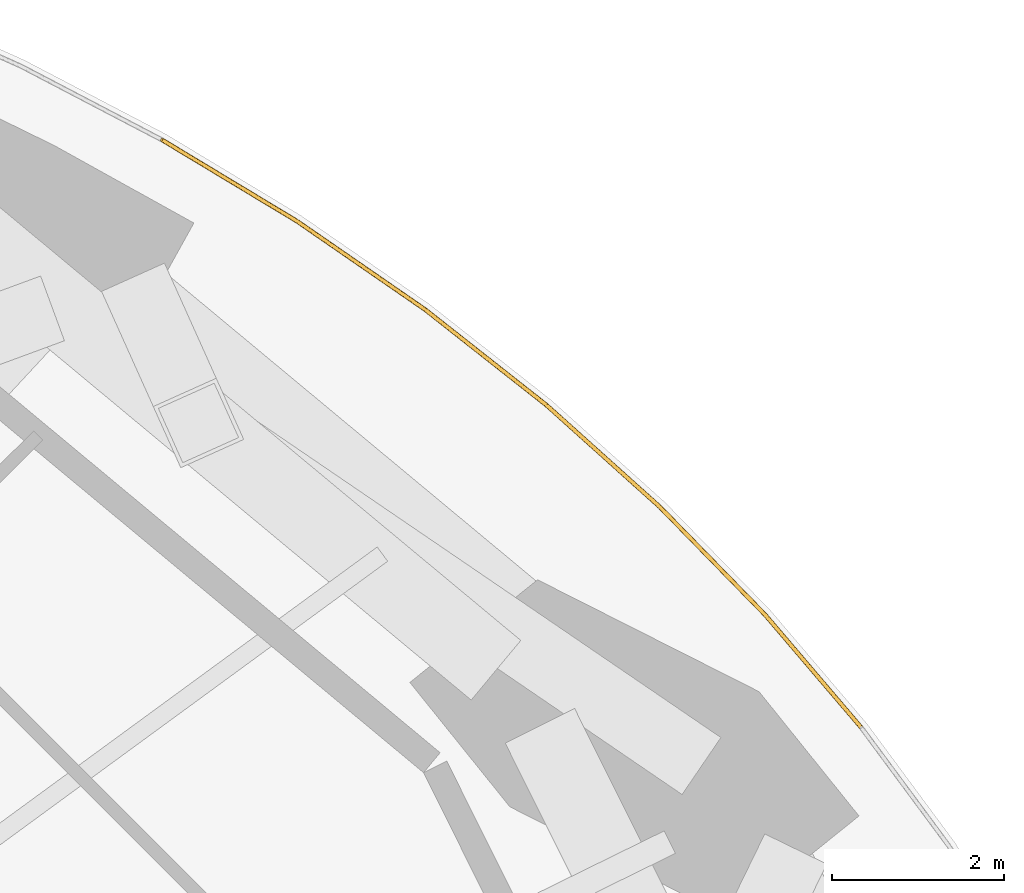
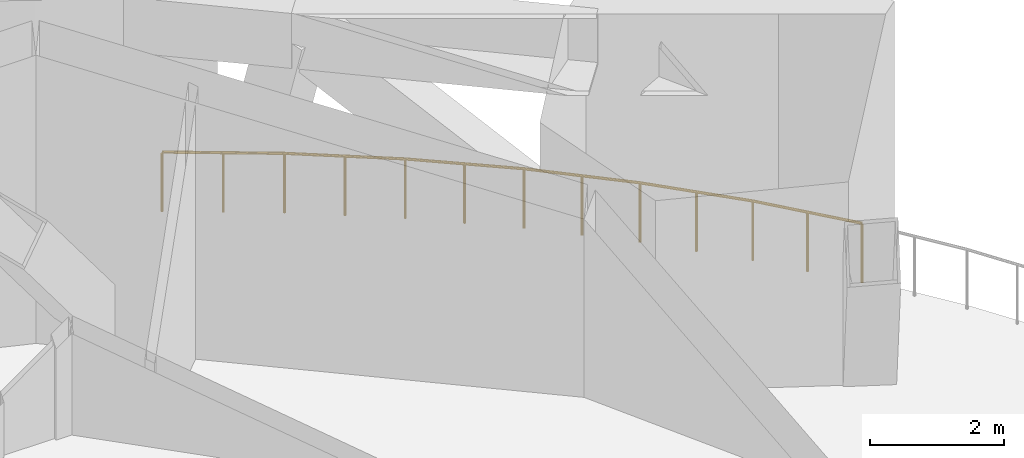
# One storey, part 10 of 11: 1 railing.
"""IFC4 building model written with IfcOpenShell, lengths in metres."""

import ifcopenshell
import ifcopenshell.guid

model = None  # the IFC model being written
_history = None  # IfcOwnerHistory: only IFC2X3 demands one
_inside = {}  # id of a spatial element -> (the spatial element, [elements in it])
_under = {}  # id of a project, library or spatial element -> (it, [spatial elements below it])
_declared = {}  # id of a project -> (the project, [libraries it declares])
_typed = {}  # id of a type object -> (the type object, [elements of that type])
_made_of = {}  # id of a material, layer set ... -> (it, [elements and type objects made of it])


def new_model(schema):
    """Start an empty IFC model of exactly this schema.

    Asked for "IFC4X3", IfcOpenShell would pick the latest addendum, in which some entities
    have other attributes; the version numbers below select the first issue.
    IFC2X3 requires an IfcOwnerHistory on every rooted entity: one is made here for all.
    """
    global model, _history
    if schema == "IFC4X3":
        model = ifcopenshell.file(schema_version=(4, 3, 0, 0))
    else:
        model = ifcopenshell.file(schema=schema)
    _inside.clear()
    _under.clear()
    _declared.clear()
    _typed.clear()
    _made_of.clear()
    _history = None
    if model.schema == "IFC2X3":
        org = make("IfcOrganization", Name="unknown")
        user = make(
            "IfcPersonAndOrganization",
            ThePerson=make("IfcPerson", FamilyName="unknown"),
            TheOrganization=org,
        )
        app = make(
            "IfcApplication",
            ApplicationDeveloper=org,
            Version="unknown",
            ApplicationFullName="unknown",
            ApplicationIdentifier="unknown",
        )
        _history = make(
            "IfcOwnerHistory",
            OwningUser=user,
            OwningApplication=app,
            ChangeAction="ADDED",
            CreationDate=0,
        )
    return model


def make(cls, **values):
    """One entity of the class cls with the attributes given. An attribute that is None is left unset."""
    return model.create_entity(
        cls, **{name: value for name, value in values.items() if value is not None}
    )


def rooted(cls, **values):
    """An entity with a GlobalId (a new one), such as an element, a storey or a relation."""
    return make(cls, GlobalId=ifcopenshell.guid.new(), OwnerHistory=_history, **values)


def si_unit(unit_type, name, prefix=None):
    """IfcSIUnit, for example si_unit("LENGTHUNIT", "METRE", prefix="MILLI")."""
    return make("IfcSIUnit", UnitType=unit_type, Prefix=prefix, Name=name)


def assignment(units):
    """IfcUnitAssignment: the units of a project."""
    return None if units is None else make("IfcUnitAssignment", Units=units)


def point(xyz):
    """IfcCartesianPoint."""
    return None if xyz is None else make("IfcCartesianPoint", Coordinates=xyz)


def direction(xyz):
    """IfcDirection."""
    return None if xyz is None else make("IfcDirection", DirectionRatios=xyz)


def frame(location, z_axis=None, x_axis=None):
    """IfcAxis2Placement3D, a coordinate frame: its origin and axes. An axis left out is left unset."""
    return make(
        "IfcAxis2Placement3D",
        Location=point(location),
        Axis=direction(z_axis),
        RefDirection=direction(x_axis),
    )


def frame_2d(location, x_axis=None):
    """IfcAxis2Placement2D, a coordinate frame in the plane: its origin and x axis."""
    return make(
        "IfcAxis2Placement2D", Location=point(location), RefDirection=direction(x_axis)
    )


def origin():
    """The frame at (0, 0, 0) with its axes left unset."""
    return frame((0.0, 0.0, 0.0))


def origin_2d():
    """The frame at (0, 0) in the plane with its x axis left unset."""
    return frame_2d((0.0, 0.0))


def place(relative_to, where):
    """IfcLocalPlacement: puts the frame where relative to a parent placement (None: the world)."""
    return make(
        "IfcLocalPlacement", PlacementRelTo=relative_to, RelativePlacement=where
    )


def context(
    kind, dimensions, precision=None, world=None, true_north=None, identifier=None
):
    """IfcGeometricRepresentationContext, for example the 3D "Model" context."""
    return make(
        "IfcGeometricRepresentationContext",
        ContextIdentifier=identifier,
        ContextType=kind,
        CoordinateSpaceDimension=dimensions,
        Precision=precision,
        WorldCoordinateSystem=world,
        TrueNorth=true_north,
    )


def subcontext(parent, identifier, kind, view, scale=None):
    """IfcGeometricRepresentationSubContext, for example "Body" below "Model"."""
    return make(
        "IfcGeometricRepresentationSubContext",
        ContextIdentifier=identifier,
        ContextType=kind,
        ParentContext=parent,
        TargetScale=scale,
        TargetView=view,
    )


def project(units=None, contexts=None):
    """IfcProject with its units and contexts."""
    return rooted(
        "IfcProject",
        Name="project",
        RepresentationContexts=contexts,
        UnitsInContext=assignment(units),
    )


def spatial(cls, under=None, at=None, **own):
    """A site, building, storey or space (cls), placed at a placement, below another one or the project."""
    s = rooted(cls, ObjectPlacement=at, **own)
    if under is not None:
        _under.setdefault(under.id(), (under, []))[1].append(s)
    return s


def profile(cls, at=None, kind="AREA", **sizes):
    """A parametric profile (cls). Its sizes go by their IFC names, for example OverallWidth=200.0."""
    return make(cls, ProfileType=kind, Position=at, **sizes)


def circle(**sizes):
    """IfcCircleProfileDef."""
    return profile("IfcCircleProfileDef", **sizes)


def extrude(swept, where, along, depth):
    """IfcExtrudedAreaSolid: the profile swept, set in the frame where, extruded along a direction by depth."""
    return make(
        "IfcExtrudedAreaSolid",
        SweptArea=swept,
        Position=where,
        ExtrudedDirection=direction(along),
        Depth=depth,
    )


def shape(context_of_items, identifier, shape_type, items):
    """IfcShapeRepresentation: the items that make up one representation, for example the "Body"."""
    return make(
        "IfcShapeRepresentation",
        ContextOfItems=context_of_items,
        RepresentationIdentifier=identifier,
        RepresentationType=shape_type,
        Items=items,
    )


def material(Name=None, Category=None):
    """IfcMaterial."""
    return make("IfcMaterial", Name=Name, Category=Category)


def made_of(thing, what):
    """Note that an element or type object is made of a material, layer set ...; save() writes the relation."""
    if what is not None:
        _made_of.setdefault(what.id(), (what, []))[1].append(thing)
    return thing


def type_object(cls, material=None, **own):
    """A type object (cls), such as IfcWallType, which elements share."""
    return made_of(rooted(cls, **own), material)


def element(
    cls,
    number,
    at=None,
    inside=None,
    cuts=None,
    type_object=None,
    material=None,
    context=None,
    identifier="Body",
    shape_type=None,
    held_by="IfcProductDefinitionShape",
    body=None,
    shapes=None,
    **own,
):
    """One element of the class cls, such as IfcWall. Its Tag is "e" and its number.

    at: its placement. inside: the storey or other place that contains it. cuts: it is an
    opening in that element (IfcRelVoidsElement). A single representation is given by context,
    identifier, shape_type and body (its items); several are given by shapes. held_by: the class
    of the entity that holds the representations. save() writes the other relations.
    """
    e = rooted(cls, Tag="e%d" % number, ObjectPlacement=at, **own)
    if body is not None:
        shapes = [shape(context, identifier, shape_type, body)]
    if shapes is not None:
        e.Representation = make(held_by, Representations=shapes)
    if inside is not None:
        _inside.setdefault(inside.id(), (inside, []))[1].append(e)
    if cuts is not None:
        rooted(
            "IfcRelVoidsElement", RelatingBuildingElement=cuts, RelatedOpeningElement=e
        )
    if type_object is not None:
        _typed.setdefault(type_object.id(), (type_object, []))[1].append(e)
    return made_of(e, material)


def aggregate(whole, parts):
    """IfcRelAggregates: a whole, such as a stair, and the parts it consists of."""
    return rooted("IfcRelAggregates", RelatingObject=whole, RelatedObjects=parts)


def save(model, path):
    """Write the relations noted so far, then the file.

    IfcRelAggregates (storeys below a building ...), IfcRelContainedInSpatialStructure (elements
    in a storey), IfcRelDefinesByType, IfcRelAssociatesMaterial and IfcRelDeclares: one each for
    every whole, place, type object, material and project.
    """
    for whole, parts in _under.values():
        aggregate(whole, parts)
    for where, things in _inside.values():
        rooted(
            "IfcRelContainedInSpatialStructure",
            RelatedElements=things,
            RelatingStructure=where,
        )
    for kind, things in _typed.values():
        rooted("IfcRelDefinesByType", RelatedObjects=things, RelatingType=kind)
    for what, things in _made_of.values():
        rooted("IfcRelAssociatesMaterial", RelatedObjects=things, RelatingMaterial=what)
    for by, libraries in _declared.values():
        rooted("IfcRelDeclares", RelatingContext=by, RelatedDefinitions=libraries)
    model.write(path)


model = new_model("IFC4")

# Units and contexts
model_context = context("Model", 3, precision=1e-05, world=origin(), true_north=direction((0.0, 1.0)))
body_context = subcontext(model_context, "Body", "Model", "MODEL_VIEW")
ifc_project = project(units=[si_unit("LENGTHUNIT", "METRE"), si_unit("AREAUNIT", "SQUARE_METRE"), si_unit("VOLUMEUNIT", "CUBIC_METRE"), si_unit("PLANEANGLEUNIT", "RADIAN"), si_unit("MASSUNIT", "GRAM", prefix="KILO")], contexts=[model_context])

# Site, building, storey
site_placement = place(None, origin())
site = spatial("IfcSite", under=ifc_project, at=site_placement, CompositionType="ELEMENT")
building_placement = place(site_placement, origin())
building = spatial("IfcBuilding", under=site, at=building_placement, Name="Marenthal Gate Tower", CompositionType="ELEMENT")
storey_placement = place(building_placement, frame((0.0, 0.0, 273.10009765625)))
storey = spatial("IfcBuildingStorey", under=building, at=storey_placement, Name="L61", CompositionType="ELEMENT", Elevation=273.10009765625)

# Railing
ifc_material = material(Name="Stainless steel", Category="steel")
railing_type = type_object("IfcRailingType", Name="Balcony guard 1100", PredefinedType="GUARDRAIL", material=ifc_material)
railing_placement = place(storey_placement, frame((26.25, 13.121826171875, 0.0)))
element("IfcRailing", 1, at=railing_placement, inside=storey, type_object=railing_type, Name="Refuge band guard L61 bay 2", PredefinedType="GUARDRAIL", context=body_context, shape_type="SweptSolid", body=[
    extrude(circle(Radius=0.02392578125, at=origin_2d()), frame((0.0, 0.0, 1.076171875), z_axis=(-0.648751624438, 0.761000216681, 0.0), x_axis=(-0.761000216681, -0.648751624438, 0.0)), (0.0, 0.0, 1.0), 1.72705078125),
    extrude(circle(Radius=0.02392578125, at=origin_2d()), frame((-1.120361328125, 1.314208984375, 1.076171875), z_axis=(-0.698458332694, 0.715650723112, 0.0), x_axis=(-0.715650723112, -0.698458332694, 0.0)), (0.0, 0.0, 1.0), 1.74658203125),
    extrude(circle(Radius=0.02392578125, at=origin_2d()), frame((-2.34033203125, 2.564208984375, 1.076171875), z_axis=(-0.744145420954, 0.668017658803, 0.0), x_axis=(-0.668017658803, -0.744145420954, 0.0)), (0.0, 0.0, 1.0), 1.76708984375),
    extrude(circle(Radius=0.02392578125, at=origin_2d()), frame((-3.6552734375, 3.74462890625, 1.076171875), z_axis=(-0.785630504636, 0.618695975569, 0.0), x_axis=(-0.618695975569, -0.785630504636, 0.0)), (0.0, 0.0, 1.0), 1.787109375),
    extrude(circle(Radius=0.02392578125, at=origin_2d()), frame((-5.059326171875, 4.850341796875, 1.076171875), z_axis=(-0.823066850587, 0.567944503861, 0.0), x_axis=(-0.567944503861, -0.823066850587, 0.0)), (0.0, 0.0, 1.0), 1.806640625),
    extrude(circle(Radius=0.02392578125, at=origin_2d()), frame((-6.54638671875, 5.87646484375, 1.076171875), z_axis=(-0.856524003828, 0.516107189319, 0.0), x_axis=(-0.516107189319, -0.856524003828, 0.0)), (0.0, 0.0, 1.0), 1.825927734375),
    extrude(circle(Radius=0.02099609375, at=origin_2d()), origin(), (0.0, 0.0, 1.0), 1.052001953125),
    extrude(circle(Radius=0.02099609375, at=origin_2d()), frame((-0.56005859375, 0.6572265625, 0.0)), (0.0, 0.0, 1.0), 1.052001953125),
    extrude(circle(Radius=0.02099609375, at=origin_2d()), frame((-1.120361328125, 1.314208984375, 0.0)), (0.0, 0.0, 1.0), 1.052001953125),
    extrude(circle(Radius=0.02099609375, at=origin_2d()), frame((-1.73046875, 1.939208984375, 0.0)), (0.0, 0.0, 1.0), 1.052001953125),
    extrude(circle(Radius=0.02099609375, at=origin_2d()), frame((-2.34033203125, 2.564208984375, 0.0)), (0.0, 0.0, 1.0), 1.052001953125),
    extrude(circle(Radius=0.02099609375, at=origin_2d()), frame((-2.997802734375, 3.154296875, 0.0)), (0.0, 0.0, 1.0), 1.052001953125),
    extrude(circle(Radius=0.02099609375, at=origin_2d()), frame((-3.6552734375, 3.74462890625, 0.0)), (0.0, 0.0, 1.0), 1.052001953125),
    extrude(circle(Radius=0.02099609375, at=origin_2d()), frame((-4.357421875, 4.29736328125, 0.0)), (0.0, 0.0, 1.0), 1.052001953125),
    extrude(circle(Radius=0.02099609375, at=origin_2d()), frame((-5.059326171875, 4.850341796875, 0.0)), (0.0, 0.0, 1.0), 1.052001953125),
    extrude(circle(Radius=0.02099609375, at=origin_2d()), frame((-5.802734375, 5.36328125, 0.0)), (0.0, 0.0, 1.0), 1.052001953125),
    extrude(circle(Radius=0.02099609375, at=origin_2d()), frame((-6.54638671875, 5.87646484375, 0.0)), (0.0, 0.0, 1.0), 1.052001953125),
    extrude(circle(Radius=0.02099609375, at=origin_2d()), frame((-7.328369140625, 6.34765625, 0.0)), (0.0, 0.0, 1.0), 1.052001953125),
    extrude(circle(Radius=0.02099609375, at=origin_2d()), frame((-8.1103515625, 6.81884765625, 0.0)), (0.0, 0.0, 1.0), 1.052001953125),
])

save(model, "model.ifc")
